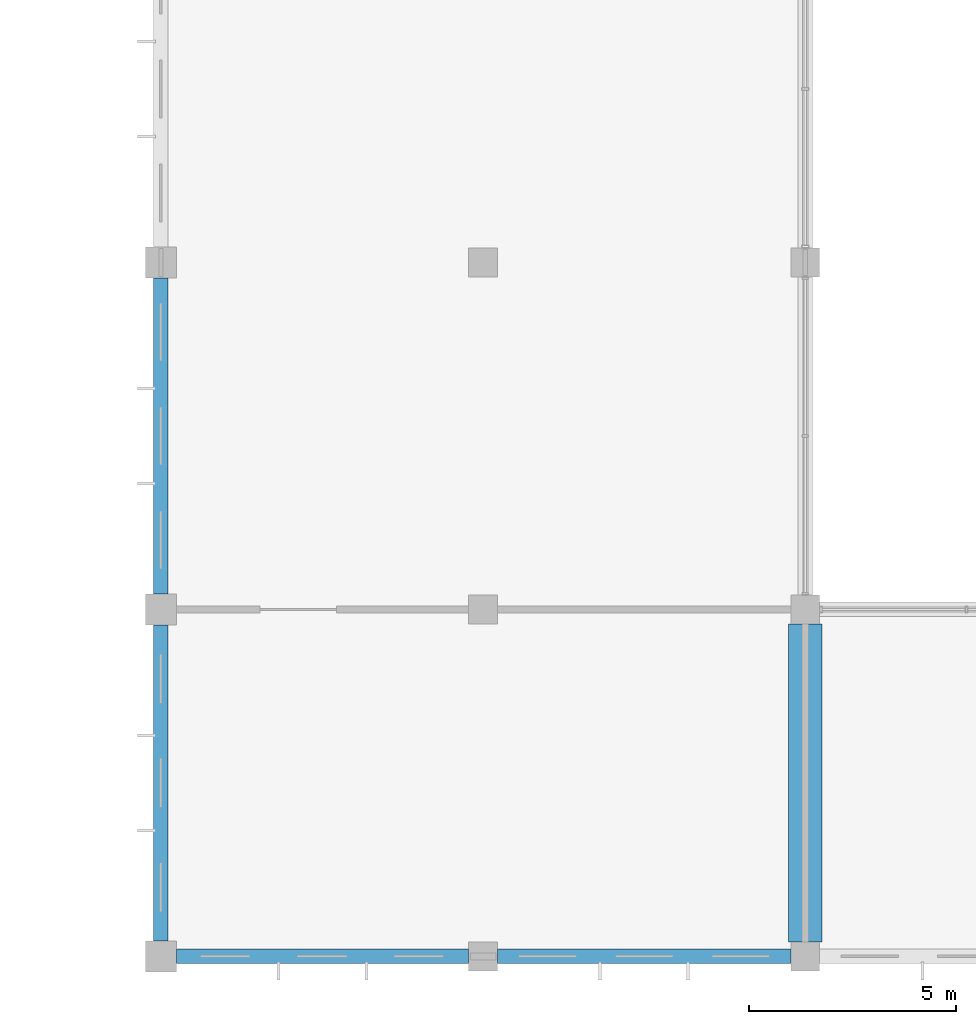
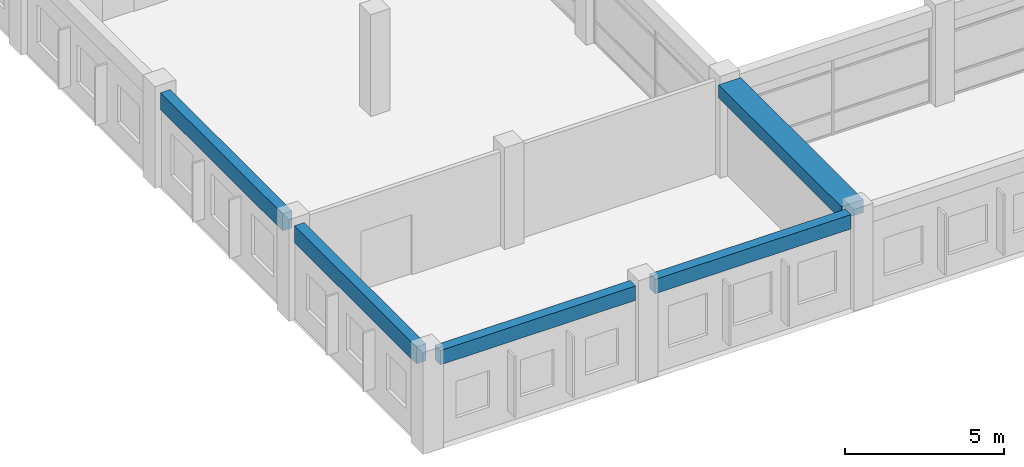
# One storey, part 19 of 72: 5 beams.
"""IFC4 building model written with IfcOpenShell, lengths in metres."""

from ifc_helpers import new_model, si_unit, direction, frame, origin, origin_2d, place, context, subcontext, project, spatial, rectangle, extrude, material, material_profile, profile_set, type_object, element, save


model = new_model("IFC4")

# Units and contexts
model_context = context("Model", 3, precision=1e-05, world=origin(), true_north=direction((0.0, 1.0)))
body_context = subcontext(model_context, "Body", "Model", "MODEL_VIEW")
ifc_project = project(units=[si_unit("LENGTHUNIT", "METRE"), si_unit("AREAUNIT", "SQUARE_METRE"), si_unit("VOLUMEUNIT", "CUBIC_METRE"), si_unit("PLANEANGLEUNIT", "RADIAN"), si_unit("MASSUNIT", "GRAM", prefix="KILO"), si_unit("THERMODYNAMICTEMPERATUREUNIT", "KELVIN"), si_unit("POWERUNIT", "WATT")], contexts=[model_context])

# Site, building, storey
site_placement = place(None, origin())
site = spatial("IfcSite", under=ifc_project, at=site_placement, CompositionType="ELEMENT")
building_placement = place(site_placement, origin())
building = spatial("IfcBuilding", under=site, at=building_placement, Name="Srebrne Nadtorze General Hospital", CompositionType="ELEMENT")
storey_placement = place(building_placement, frame((0.0, 0.0, 22.199951171875)))
storey = spatial("IfcBuildingStorey", under=building, at=storey_placement, Name="L05", CompositionType="ELEMENT", Elevation=22.199951171875)

# Beams
ifc_material_1 = material(Name="Concrete C35/45", Category="concrete")
ifc_material_profile_1 = material_profile(ifc_material_1, rectangle(XDim=0.35009765625, YDim=0.64990234375, at=origin_2d()), Name="RC-BM-350x650")
ifc_profile_set_1 = profile_set([ifc_material_profile_1], Name="Concrete C35/45")
beam_type_1 = type_object("IfcBeamType", Name="Edge beam RC 350x650", PredefinedType="BEAM", material=ifc_profile_set_1)
beam_1_placement = place(storey_placement, frame((101.39990234375, 0.375, 3.275146484375), z_axis=(0.0, 1.0, 0.0), x_axis=(-1.0, 0.0, 0.0)))
element("IfcBeam", 1, at=beam_1_placement, inside=storey, type_object=beam_type_1, Name="Beam BM-L05-Y-1093", PredefinedType="BEAM", context=body_context, shape_type="SweptSolid", body=[
    extrude(rectangle(XDim=0.35009765625, YDim=0.64990234375, at=origin_2d()), origin(), (0.0, 0.0, 1.0), 7.64990234375),
])
beam_2_placement = place(storey_placement, frame((101.39990234375, 8.77490234375, 3.275146484375), z_axis=(0.0, 1.0, 0.0), x_axis=(-1.0, 0.0, 0.0)))
element("IfcBeam", 2, at=beam_2_placement, inside=storey, type_object=beam_type_1, Name="Beam BM-L05-Y-1094", PredefinedType="BEAM", context=body_context, shape_type="SweptSolid", body=[
    extrude(rectangle(XDim=0.35009765625, YDim=0.64990234375, at=origin_2d()), origin(), (0.0, 0.0, 1.0), 7.650146484375),
])
ifc_material_2 = material(Name="Concrete C40/50", Category="concrete")
ifc_material_profile_2 = material_profile(ifc_material_2, rectangle(XDim=0.800048828125, YDim=0.5, at=origin_2d()), Name="RC-BM-800x500")
ifc_profile_set_2 = profile_set([ifc_material_profile_2], Name="Concrete C40/50")
beam_type_2 = type_object("IfcBeamType", Name="Primary beam RC 800x500", PredefinedType="BEAM", material=ifc_profile_set_2)
beam_3_placement = place(storey_placement, frame((117.0, 0.35009765625, 3.35009765625), z_axis=(0.0, 1.0, 0.0), x_axis=(-1.0, 0.0, 0.0)))
element("IfcBeam", 3, at=beam_3_placement, inside=storey, type_object=beam_type_2, Name="Beam BM-L05-Y-1103", PredefinedType="BEAM", context=body_context, shape_type="SweptSolid", body=[
    extrude(rectangle(XDim=0.800048828125, YDim=0.5, at=origin_2d()), origin(), (0.0, 0.0, 1.0), 7.699951171875),
])
ifc_material_3 = material(Name="Concrete C35/45", Category="concrete")
ifc_material_profile_3 = material_profile(ifc_material_3, rectangle(XDim=0.35009765625, YDim=0.550048828125, at=origin_2d()), Name="RC-BM-350x550")
ifc_profile_set_3 = profile_set([ifc_material_profile_3], Name="Concrete C35/45")
beam_type_3 = type_object("IfcBeamType", Name="Spandrel lintel beam RC 350x550", PredefinedType="LINTEL", material=ifc_profile_set_3)
beam_4_placement = place(storey_placement, frame((101.77490234375, 0.0, 3.324951171875), z_axis=(1.0, 0.0, 0.0), x_axis=(0.0, 1.0, 0.0)))
element("IfcBeam", 4, at=beam_4_placement, inside=storey, type_object=beam_type_3, Name="Beam BM-L05-X-0996", PredefinedType="LINTEL", context=body_context, shape_type="SweptSolid", body=[
    extrude(rectangle(XDim=0.35009765625, YDim=0.550048828125, at=origin_2d()), origin(), (0.0, 0.0, 1.0), 7.0751953125),
])
beam_5_placement = place(storey_placement, frame((109.550048828125, 0.0, 3.324951171875), z_axis=(1.0, 0.0, 0.0), x_axis=(0.0, 1.0, 0.0)))
element("IfcBeam", 5, at=beam_5_placement, inside=storey, type_object=beam_type_3, Name="Beam BM-L05-X-0997", PredefinedType="LINTEL", context=body_context, shape_type="SweptSolid", body=[
    extrude(rectangle(XDim=0.35009765625, YDim=0.550048828125, at=origin_2d()), origin(), (0.0, 0.0, 1.0), 7.099853515625),
])

save(model, "model.ifc")
